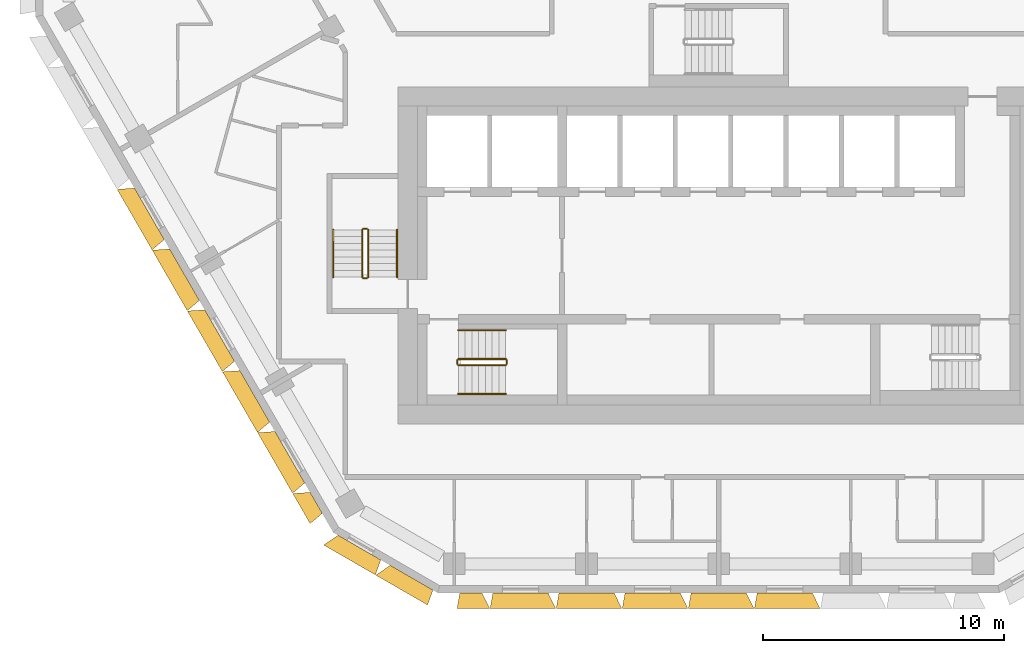
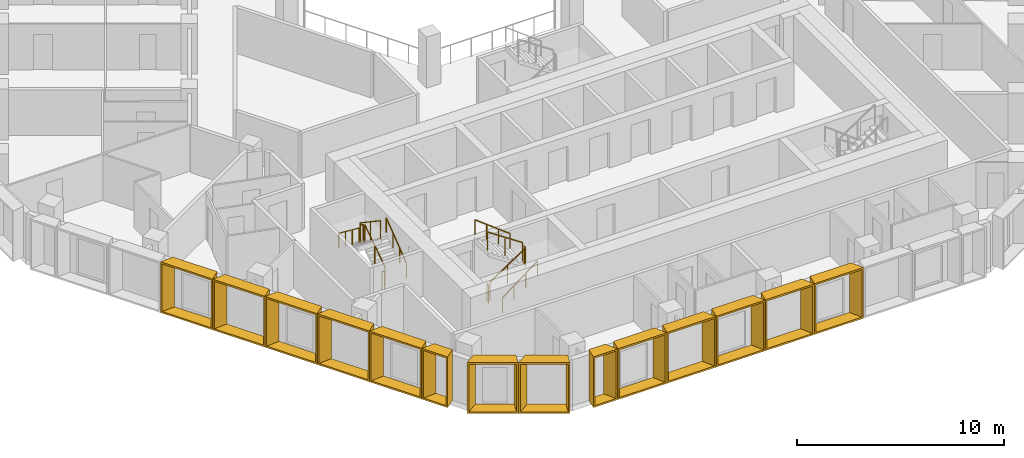
# One storey, part 12 of 15: 14 shading devices, 12 railings.
"""IFC4 building model written with IfcOpenShell, lengths in metres."""

from ifc_helpers import new_model, entity, si_unit, direction, frame, origin, origin_2d, place, context, subcontext, project, spatial, rectangle, extrude, source, transform, mapped, material, type_object, type_shapes, element, save


model = new_model("IFC4")

# Units and contexts
model_context = context("Model", 3, precision=1e-05, world=origin(), true_north=direction((0.0, 1.0)))
body_context = subcontext(model_context, "Body", "Model", "MODEL_VIEW")
ifc_project = project(units=[si_unit("LENGTHUNIT", "METRE"), si_unit("AREAUNIT", "SQUARE_METRE"), si_unit("VOLUMEUNIT", "CUBIC_METRE"), si_unit("PLANEANGLEUNIT", "RADIAN"), si_unit("MASSUNIT", "GRAM", prefix="KILO")], contexts=[model_context])

# Site, building, storey
site_placement = place(None, origin())
site = spatial("IfcSite", under=ifc_project, at=site_placement, CompositionType="ELEMENT")
building_placement = place(site_placement, origin())
building = spatial("IfcBuilding", under=site, at=building_placement, Name="Beryl Residences", CompositionType="ELEMENT")
storey_placement = place(building_placement, frame((0.0, 0.0, 123.60009765625)))
storey = spatial("IfcBuildingStorey", under=building, at=storey_placement, Name="L37", CompositionType="ELEMENT", Elevation=123.60009765625)

# Shading devices
ifc_material_1 = material(Name="Aluminium pale anodised", Category="aluminium")
shading_device_type_1 = type_object("IfcShadingDeviceType", Name="FR137-65C OUTER SKIN frame 650 mm deep, splay 10/26 deg, 1370 x 3000 mm cell", PredefinedType="USERDEFINED", material=ifc_material_1)
cartesian_point_1 = entity("IfcCartesianPoint", [-0.458984375, 0.0])
cartesian_point_2 = entity("IfcCartesianPoint", [-0.377685546875, 0.10009765625])
cartesian_point_3 = entity("IfcCartesianPoint", [-0.57373046875, 0.0])
cartesian_point_4 = entity("IfcCartesianPoint", [-0.492431640625, 0.10009765625])
shared_shape_1 = source(origin(), body_context, "Body", "SweptSolid", [
    entity("IfcExtrudedAreaSolidTapered", entity("IfcArbitraryProfileDefWithVoids", "AREA", None, entity("IfcPolyline", [cartesian_point_1, entity("IfcCartesianPoint", [0.458984375, 0.0]), entity("IfcCartesianPoint", [0.458984375, 3.0]), entity("IfcCartesianPoint", [-0.458984375, 3.0]), cartesian_point_1]), [entity("IfcPolyline", [cartesian_point_2, entity("IfcCartesianPoint", [0.369873046875, 0.10009765625]), entity("IfcCartesianPoint", [0.369873046875, 2.89990234375]), entity("IfcCartesianPoint", [-0.377685546875, 2.89990234375]), cartesian_point_2])]), entity("IfcAxis2Placement3D", entity("IfcCartesianPoint", [0.0, 0.0, 0.0]), entity("IfcDirection", [0.0, 1.0, 0.0]), entity("IfcDirection", [-1.0, 0.0, 0.0])), entity("IfcDirection", [0.0, 0.0, 1.0]), 0.64990234375, entity("IfcArbitraryProfileDefWithVoids", "AREA", None, entity("IfcPolyline", [cartesian_point_3, entity("IfcCartesianPoint", [0.776123046875, 0.0]), entity("IfcCartesianPoint", [0.776123046875, 3.0]), entity("IfcCartesianPoint", [-0.57373046875, 3.0]), cartesian_point_3]), [entity("IfcPolyline", [cartesian_point_4, entity("IfcCartesianPoint", [0.68701171875, 0.10009765625]), entity("IfcCartesianPoint", [0.68701171875, 2.89990234375]), entity("IfcCartesianPoint", [-0.492431640625, 2.89990234375]), cartesian_point_4])])),
])
type_shapes(shading_device_type_1, [shared_shape_1])
shading_device_1_placement = place(storey_placement, frame((-10.282958984375, -26.0, 0.0), z_axis=(0.0, 0.0, 1.0), x_axis=(-1.0, 0.0, 0.0)))
element("IfcShadingDevice", 1, at=shading_device_1_placement, inside=storey, type_object=shading_device_type_1, Name="FR137-65C frame L37 S 1", ObjectType="OUTER SKIN", PredefinedType="USERDEFINED", context=body_context, shape_type="MappedRepresentation", body=[
    mapped(shared_shape_1, transform((0.0, 0.0, 0.0))),
])
ifc_material_2 = material(Name="Aluminium pale anodised", Category="aluminium")
shading_device_type_2 = type_object("IfcShadingDeviceType", Name="FR146-65B OUTER SKIN frame 650 mm deep, splay 26/10 deg, 1460 x 3000 mm cell", PredefinedType="USERDEFINED", material=ifc_material_2)
cartesian_point_5 = entity("IfcCartesianPoint", [-0.50390625, 0.0])
cartesian_point_6 = entity("IfcCartesianPoint", [-0.4150390625, 0.10009765625])
cartesian_point_7 = entity("IfcCartesianPoint", [-0.821044921875, 0.0])
cartesian_point_8 = entity("IfcCartesianPoint", [-0.73193359375, 0.10009765625])
shared_shape_2 = source(origin(), body_context, "Body", "SweptSolid", [
    entity("IfcExtrudedAreaSolidTapered", entity("IfcArbitraryProfileDefWithVoids", "AREA", None, entity("IfcPolyline", [cartesian_point_5, entity("IfcCartesianPoint", [0.50390625, 0.0]), entity("IfcCartesianPoint", [0.50390625, 3.0]), entity("IfcCartesianPoint", [-0.50390625, 3.0]), cartesian_point_5]), [entity("IfcPolyline", [cartesian_point_6, entity("IfcCartesianPoint", [0.4228515625, 0.10009765625]), entity("IfcCartesianPoint", [0.4228515625, 2.89990234375]), entity("IfcCartesianPoint", [-0.4150390625, 2.89990234375]), cartesian_point_6])]), entity("IfcAxis2Placement3D", entity("IfcCartesianPoint", [0.0, 0.0, 0.0]), entity("IfcDirection", [0.0, 1.0, 0.0]), entity("IfcDirection", [-1.0, 0.0, 0.0])), entity("IfcDirection", [0.0, 0.0, 1.0]), 0.64990234375, entity("IfcArbitraryProfileDefWithVoids", "AREA", None, entity("IfcPolyline", [cartesian_point_7, entity("IfcCartesianPoint", [0.61865234375, 0.0]), entity("IfcCartesianPoint", [0.61865234375, 3.0]), entity("IfcCartesianPoint", [-0.821044921875, 3.0]), cartesian_point_7]), [entity("IfcPolyline", [cartesian_point_8, entity("IfcCartesianPoint", [0.537353515625, 0.10009765625]), entity("IfcCartesianPoint", [0.537353515625, 2.89990234375]), entity("IfcCartesianPoint", [-0.73193359375, 2.89990234375]), cartesian_point_8])])),
])
type_shapes(shading_device_type_2, [shared_shape_2])
shading_device_2_placement = place(storey_placement, frame((-16.7041015625, -22.26806640625, 0.0), z_axis=(0.0, 0.0, 1.0), x_axis=(-0.5, 0.866025403784, 0.0)))
element("IfcShadingDevice", 2, at=shading_device_2_placement, inside=storey, type_object=shading_device_type_2, Name="FR146-65B frame L37 SW 9", ObjectType="OUTER SKIN", PredefinedType="USERDEFINED", context=body_context, shape_type="MappedRepresentation", body=[
    mapped(shared_shape_2, transform((0.0, 0.0, 0.0))),
])
ifc_material_3 = material(Name="Aluminium pale anodised", Category="aluminium")
shading_device_type_3 = type_object("IfcShadingDeviceType", Name="FR250-65B OUTER SKIN frame 650 mm deep, splay 26/10 deg, 2500 x 3000 mm cell", PredefinedType="USERDEFINED", material=ifc_material_3)
cartesian_point_9 = entity("IfcCartesianPoint", [-1.02392578125, 0.0])
cartesian_point_10 = entity("IfcCartesianPoint", [-0.93505859375, 0.10009765625])
cartesian_point_11 = entity("IfcCartesianPoint", [-1.341064453125, 0.0])
cartesian_point_12 = entity("IfcCartesianPoint", [-1.251953125, 0.10009765625])
shared_shape_3 = source(origin(), body_context, "Body", "SweptSolid", [
    entity("IfcExtrudedAreaSolidTapered", entity("IfcArbitraryProfileDefWithVoids", "AREA", None, entity("IfcPolyline", [cartesian_point_9, entity("IfcCartesianPoint", [1.02392578125, 0.0]), entity("IfcCartesianPoint", [1.02392578125, 3.0]), entity("IfcCartesianPoint", [-1.02392578125, 3.0]), cartesian_point_9]), [entity("IfcPolyline", [cartesian_point_10, entity("IfcCartesianPoint", [0.94287109375, 0.10009765625]), entity("IfcCartesianPoint", [0.94287109375, 2.89990234375]), entity("IfcCartesianPoint", [-0.93505859375, 2.89990234375]), cartesian_point_10])]), entity("IfcAxis2Placement3D", entity("IfcCartesianPoint", [0.0, 0.0, 0.0]), entity("IfcDirection", [0.0, 1.0, 0.0]), entity("IfcDirection", [-1.0, 0.0, 0.0])), entity("IfcDirection", [0.0, 0.0, 1.0]), 0.64990234375, entity("IfcArbitraryProfileDefWithVoids", "AREA", None, entity("IfcPolyline", [cartesian_point_11, entity("IfcCartesianPoint", [1.138671875, 0.0]), entity("IfcCartesianPoint", [1.138671875, 3.0]), entity("IfcCartesianPoint", [-1.341064453125, 3.0]), cartesian_point_11]), [entity("IfcPolyline", [cartesian_point_12, entity("IfcCartesianPoint", [1.057373046875, 0.10009765625]), entity("IfcCartesianPoint", [1.057373046875, 2.89990234375]), entity("IfcCartesianPoint", [-1.251953125, 2.89990234375]), cartesian_point_12])])),
])
type_shapes(shading_device_type_3, [shared_shape_3])
for number, where, z_axis, x_axis, name in (
    (3, (-14.909912109375, -24.125, 0.0), (0.0, 0.0, 1.0), (-0.866025403784, 0.5, 0.0), "FR250-65B frame L37 SW-S 1"),
    (4, (-12.7451171875, -25.375, 0.0), (0.0, 0.0, 1.0), (-0.866025403784, 0.5, 0.0), "FR250-65B frame L37 SW-S 2"),
):
    element("IfcShadingDevice", number, at=place(storey_placement, frame(where, z_axis=z_axis, x_axis=x_axis)), inside=storey, type_object=shading_device_type_3, Name=name, ObjectType="OUTER SKIN", PredefinedType="USERDEFINED", context=body_context, shape_type="MappedRepresentation", body=[
        mapped(shared_shape_3, transform((0.0, 0.0, 0.0))),
    ])
ifc_material_4 = material(Name="Aluminium pale anodised", Category="aluminium")
shading_device_type_4 = type_object("IfcShadingDeviceType", Name="FR274-65C OUTER SKIN frame 650 mm deep, splay 10/26 deg, 2740 x 3000 mm cell", PredefinedType="USERDEFINED", material=ifc_material_4)
cartesian_point_13 = entity("IfcCartesianPoint", [-1.14404296875, 0.0])
cartesian_point_14 = entity("IfcCartesianPoint", [-1.062744140625, 0.10009765625])
cartesian_point_15 = entity("IfcCartesianPoint", [-1.258544921875, 0.0])
cartesian_point_16 = entity("IfcCartesianPoint", [-1.177490234375, 0.10009765625])
shared_shape_4 = source(origin(), body_context, "Body", "SweptSolid", [
    entity("IfcExtrudedAreaSolidTapered", entity("IfcArbitraryProfileDefWithVoids", "AREA", None, entity("IfcPolyline", [cartesian_point_13, entity("IfcCartesianPoint", [1.14404296875, 0.0]), entity("IfcCartesianPoint", [1.14404296875, 3.0]), entity("IfcCartesianPoint", [-1.14404296875, 3.0]), cartesian_point_13]), [entity("IfcPolyline", [cartesian_point_14, entity("IfcCartesianPoint", [1.054931640625, 0.10009765625]), entity("IfcCartesianPoint", [1.054931640625, 2.89990234375]), entity("IfcCartesianPoint", [-1.062744140625, 2.89990234375]), cartesian_point_14])]), entity("IfcAxis2Placement3D", entity("IfcCartesianPoint", [0.0, 0.0, 0.0]), entity("IfcDirection", [0.0, 1.0, 0.0]), entity("IfcDirection", [-1.0, 0.0, 0.0])), entity("IfcDirection", [0.0, 0.0, 1.0]), 0.64990234375, entity("IfcArbitraryProfileDefWithVoids", "AREA", None, entity("IfcPolyline", [cartesian_point_15, entity("IfcCartesianPoint", [1.4609375, 0.0]), entity("IfcCartesianPoint", [1.4609375, 3.0]), entity("IfcCartesianPoint", [-1.258544921875, 3.0]), cartesian_point_15]), [entity("IfcPolyline", [cartesian_point_16, entity("IfcCartesianPoint", [1.3720703125, 0.10009765625]), entity("IfcCartesianPoint", [1.3720703125, 2.89990234375]), entity("IfcCartesianPoint", [-1.177490234375, 2.89990234375]), cartesian_point_16])])),
])
type_shapes(shading_device_type_4, [shared_shape_4])
for number, where, z_axis, x_axis, name in (
    (5, (-8.22607421875, -26.0, 0.0), (0.0, 0.0, 1.0), (-1.0, 0.0, 0.0), "FR274-65C frame L37 S 2"),
    (6, (-5.48388671875, -26.0, 0.0), (0.0, 0.0, 1.0), (-1.0, 0.0, 0.0), "FR274-65C frame L37 S 3"),
    (7, (-2.741943359375, -26.0, 0.0), (0.0, 0.0, 1.0), (-1.0, 0.0, 0.0), "FR274-65C frame L37 S 4"),
    (8, (0.0009765625, -26.0, 0.0), (0.0, 0.0, 1.0), (-1.0, 0.0, 0.0), "FR274-65C frame L37 S 5"),
    (9, (2.743896484375, -26.0, 0.0), (0.0, 0.0, 1.0), (-1.0, 0.0, 0.0), "FR274-65C frame L37 S 6"),
):
    element("IfcShadingDevice", number, at=place(storey_placement, frame(where, z_axis=z_axis, x_axis=x_axis)), inside=storey, type_object=shading_device_type_4, Name=name, ObjectType="OUTER SKIN", PredefinedType="USERDEFINED", context=body_context, shape_type="MappedRepresentation", body=[
        mapped(shared_shape_4, transform((0.0, 0.0, 0.0))),
    ])
ifc_material_5 = material(Name="Aluminium pale anodised", Category="aluminium")
shading_device_type_5 = type_object("IfcShadingDeviceType", Name="FR292-65B OUTER SKIN frame 650 mm deep, splay 26/10 deg, 2920 x 3000 mm cell", PredefinedType="USERDEFINED", material=ifc_material_5)
cartesian_point_17 = entity("IfcCartesianPoint", [-1.23388671875, 0.0])
cartesian_point_18 = entity("IfcCartesianPoint", [-1.14501953125, 0.10009765625])
cartesian_point_19 = entity("IfcCartesianPoint", [-1.551025390625, 0.0])
cartesian_point_20 = entity("IfcCartesianPoint", [-1.4619140625, 0.10009765625])
shared_shape_5 = source(origin(), body_context, "Body", "SweptSolid", [
    entity("IfcExtrudedAreaSolidTapered", entity("IfcArbitraryProfileDefWithVoids", "AREA", None, entity("IfcPolyline", [cartesian_point_17, entity("IfcCartesianPoint", [1.23388671875, 0.0]), entity("IfcCartesianPoint", [1.23388671875, 3.0]), entity("IfcCartesianPoint", [-1.23388671875, 3.0]), cartesian_point_17]), [entity("IfcPolyline", [cartesian_point_18, entity("IfcCartesianPoint", [1.15283203125, 0.10009765625]), entity("IfcCartesianPoint", [1.15283203125, 2.89990234375]), entity("IfcCartesianPoint", [-1.14501953125, 2.89990234375]), cartesian_point_18])]), entity("IfcAxis2Placement3D", entity("IfcCartesianPoint", [0.0, 0.0, 0.0]), entity("IfcDirection", [0.0, 1.0, 0.0]), entity("IfcDirection", [-1.0, 0.0, 0.0])), entity("IfcDirection", [0.0, 0.0, 1.0]), 0.64990234375, entity("IfcArbitraryProfileDefWithVoids", "AREA", None, entity("IfcPolyline", [cartesian_point_19, entity("IfcCartesianPoint", [1.3486328125, 0.0]), entity("IfcCartesianPoint", [1.3486328125, 3.0]), entity("IfcCartesianPoint", [-1.551025390625, 3.0]), cartesian_point_19]), [entity("IfcPolyline", [cartesian_point_20, entity("IfcCartesianPoint", [1.267333984375, 0.10009765625]), entity("IfcCartesianPoint", [1.267333984375, 2.89990234375]), entity("IfcCartesianPoint", [-1.4619140625, 2.89990234375]), cartesian_point_20])])),
])
type_shapes(shading_device_type_5, [shared_shape_5])
for number, where, z_axis, x_axis, name in (
    (10, (-23.6279296875, -10.27392578125, 0.0), (0.0, 0.0, 1.0), (-0.5, 0.866025403784, 0.0), "FR292-65B frame L37 SW 4"),
    (11, (-22.169921875, -12.799072265625, 0.0), (0.0, 0.0, 1.0), (-0.5, 0.866025403784, 0.0), "FR292-65B frame L37 SW 5"),
    (12, (-20.712890625, -15.323974609375, 0.0), (0.0, 0.0, 1.0), (-0.5, 0.866025403784, 0.0), "FR292-65B frame L37 SW 6"),
    (13, (-19.2548828125, -17.84912109375, 0.0), (0.0, 0.0, 1.0), (-0.5, 0.866025403784, 0.0), "FR292-65B frame L37 SW 7"),
    (14, (-17.797119140625, -20.3740234375, 0.0), (0.0, 0.0, 1.0), (-0.5, 0.866025403784, 0.0), "FR292-65B frame L37 SW 8"),
):
    element("IfcShadingDevice", number, at=place(storey_placement, frame(where, z_axis=z_axis, x_axis=x_axis)), inside=storey, type_object=shading_device_type_5, Name=name, ObjectType="OUTER SKIN", PredefinedType="USERDEFINED", context=body_context, shape_type="MappedRepresentation", body=[
        mapped(shared_shape_5, transform((0.0, 0.0, 0.0))),
    ])

# Railings
ifc_material_6 = material(Name="Stainless steel balustrade with glass infill", Category="steel")
railing_type_1 = type_object("IfcRailingType", Name="SG1 stair guard 1100 mm", PredefinedType="GUARDRAIL", material=ifc_material_6)
railing_1_placement = place(storey_placement, frame((-10.800048828125, -16.550048828125, 0.1875)))
element("IfcRailing", 15, at=railing_1_placement, inside=storey, type_object=railing_type_1, Name="L37 ST-1 stair guard 1", PredefinedType="GUARDRAIL", context=body_context, shape_type="SweptSolid", body=[
    extrude(rectangle(XDim=0.048095703125, YDim=0.048095703125, at=origin_2d()), frame((0.0, 0.0, 1.076171875), z_axis=(0.830902050051, 0.0, 0.556418712142), x_axis=(0.0, 1.0, 0.0)), (0.0, 0.0, 1.0), 2.35888671875),
    extrude(rectangle(XDim=0.0419921875, YDim=0.0419921875, at=origin_2d()), origin(), (0.0, 0.0, 1.0), 1.052001953125),
    extrude(rectangle(XDim=0.0419921875, YDim=0.0419921875, at=origin_2d()), frame((0.97998046875, 0.0, 0.65625)), (0.0, 0.0, 1.0), 1.052001953125),
    extrude(rectangle(XDim=0.0419921875, YDim=0.0419921875, at=origin_2d()), frame((1.9599609375, 0.0, 1.3125)), (0.0, 0.0, 1.0), 1.052001953125),
])
railing_2_placement = place(storey_placement, frame((-8.7900390625, -16.5, 1.5)))
element("IfcRailing", 16, at=railing_2_placement, inside=storey, type_object=railing_type_1, Name="L37 ST-1 stair guard 2", PredefinedType="GUARDRAIL", context=body_context, shape_type="SweptSolid", body=[
    extrude(rectangle(XDim=0.048095703125, YDim=0.048095703125, at=origin_2d()), frame((0.0, 0.0, 1.076171875), z_axis=(0.0, 1.0, 0.0), x_axis=(-1.0, 0.0, 0.0)), (0.0, 0.0, 1.0), 0.14990234375),
    extrude(rectangle(XDim=0.0419921875, YDim=0.0419921875, at=origin_2d()), origin(), (0.0, 0.0, 1.0), 1.052001953125),
    extrude(rectangle(XDim=0.0419921875, YDim=0.0419921875, at=origin_2d()), frame((0.0, 0.14990234375, 0.0)), (0.0, 0.0, 1.0), 1.052001953125),
])
railing_3_placement = place(storey_placement, frame((-8.840087890625, -16.300048828125, 1.6875)))
element("IfcRailing", 17, at=railing_3_placement, inside=storey, type_object=railing_type_1, Name="L37 ST-1 stair guard 3", PredefinedType="GUARDRAIL", context=body_context, shape_type="SweptSolid", body=[
    extrude(rectangle(XDim=0.048095703125, YDim=0.048095703125, at=origin_2d()), frame((0.0, 0.0, 1.076171875), z_axis=(-0.830902050051, 0.0, 0.556418712142), x_axis=(0.0, -1.0, 0.0)), (0.0, 0.0, 1.0), 2.35888671875),
    extrude(rectangle(XDim=0.0419921875, YDim=0.0419921875, at=origin_2d()), origin(), (0.0, 0.0, 1.0), 1.052001953125),
    extrude(rectangle(XDim=0.0419921875, YDim=0.0419921875, at=origin_2d()), frame((-0.97998046875, 0.0, 0.65625)), (0.0, 0.0, 1.0), 1.052001953125),
    extrude(rectangle(XDim=0.0419921875, YDim=0.0419921875, at=origin_2d()), frame((-1.9599609375, 0.0, 1.3125)), (0.0, 0.0, 1.0), 1.052001953125),
])
railing_4_placement = place(storey_placement, frame((-10.85009765625, -16.5, 0.0)))
element("IfcRailing", 18, at=railing_4_placement, inside=storey, type_object=railing_type_1, Name="L37 ST-1 stair guard 4", PredefinedType="GUARDRAIL", context=body_context, shape_type="SweptSolid", body=[
    extrude(rectangle(XDim=0.048095703125, YDim=0.048095703125, at=origin_2d()), frame((0.0, 0.0, 1.076171875), z_axis=(0.0, 1.0, 0.0), x_axis=(-1.0, 0.0, 0.0)), (0.0, 0.0, 1.0), 0.14990234375),
    extrude(rectangle(XDim=0.0419921875, YDim=0.0419921875, at=origin_2d()), origin(), (0.0, 0.0, 1.0), 1.052001953125),
    extrude(rectangle(XDim=0.0419921875, YDim=0.0419921875, at=origin_2d()), frame((0.0, 0.14990234375, 0.0)), (0.0, 0.0, 1.0), 1.052001953125),
])
railing_5_placement = place(storey_placement, frame((-14.550048828125, -12.89990234375, 0.1875)))
element("IfcRailing", 19, at=railing_5_placement, inside=storey, type_object=railing_type_1, Name="L37 ST-2 stair guard 1", PredefinedType="GUARDRAIL", context=body_context, shape_type="SweptSolid", body=[
    extrude(rectangle(XDim=0.048095703125, YDim=0.048095703125, at=origin_2d()), frame((0.0, 0.0, 1.076171875), z_axis=(0.0, 0.830902050051, 0.556418712142), x_axis=(-1.0, 0.0, 0.0)), (0.0, 0.0, 1.0), 2.35888671875),
    extrude(rectangle(XDim=0.0419921875, YDim=0.0419921875, at=origin_2d()), origin(), (0.0, 0.0, 1.0), 1.052001953125),
    extrude(rectangle(XDim=0.0419921875, YDim=0.0419921875, at=origin_2d()), frame((0.0, 0.97998046875, 0.65625)), (0.0, 0.0, 1.0), 1.052001953125),
    extrude(rectangle(XDim=0.0419921875, YDim=0.0419921875, at=origin_2d()), frame((0.0, 1.9599609375, 1.3125)), (0.0, 0.0, 1.0), 1.052001953125),
])
railing_6_placement = place(storey_placement, frame((-14.60009765625, -10.889892578125, 1.5)))
element("IfcRailing", 20, at=railing_6_placement, inside=storey, type_object=railing_type_1, Name="L37 ST-2 stair guard 2", PredefinedType="GUARDRAIL", context=body_context, shape_type="SweptSolid", body=[
    extrude(rectangle(XDim=0.048095703125, YDim=0.048095703125, at=origin_2d()), frame((0.0, 0.0, 1.076171875), z_axis=(-1.0, 0.0, 0.0), x_axis=(0.0, -1.0, 0.0)), (0.0, 0.0, 1.0), 0.14990234375),
    extrude(rectangle(XDim=0.0419921875, YDim=0.0419921875, at=origin_2d()), origin(), (0.0, 0.0, 1.0), 1.052001953125),
    extrude(rectangle(XDim=0.0419921875, YDim=0.0419921875, at=origin_2d()), frame((-0.14990234375, 0.0, 0.0)), (0.0, 0.0, 1.0), 1.052001953125),
])
railing_7_placement = place(storey_placement, frame((-14.800048828125, -10.93994140625, 1.6875)))
element("IfcRailing", 21, at=railing_7_placement, inside=storey, type_object=railing_type_1, Name="L37 ST-2 stair guard 3", PredefinedType="GUARDRAIL", context=body_context, shape_type="SweptSolid", body=[
    extrude(rectangle(XDim=0.048095703125, YDim=0.048095703125, at=origin_2d()), frame((0.0, 0.0, 1.076171875), z_axis=(0.0, -0.830902050051, 0.556418712142), x_axis=(1.0, 0.0, 0.0)), (0.0, 0.0, 1.0), 2.35888671875),
    extrude(rectangle(XDim=0.0419921875, YDim=0.0419921875, at=origin_2d()), origin(), (0.0, 0.0, 1.0), 1.052001953125),
    extrude(rectangle(XDim=0.0419921875, YDim=0.0419921875, at=origin_2d()), frame((0.0, -0.97998046875, 0.65625)), (0.0, 0.0, 1.0), 1.052001953125),
    extrude(rectangle(XDim=0.0419921875, YDim=0.0419921875, at=origin_2d()), frame((0.0, -1.9599609375, 1.3125)), (0.0, 0.0, 1.0), 1.052001953125),
])
railing_8_placement = place(storey_placement, frame((-14.60009765625, -12.949951171875, 0.0)))
element("IfcRailing", 22, at=railing_8_placement, inside=storey, type_object=railing_type_1, Name="L37 ST-2 stair guard 4", PredefinedType="GUARDRAIL", context=body_context, shape_type="SweptSolid", body=[
    extrude(rectangle(XDim=0.048095703125, YDim=0.048095703125, at=origin_2d()), frame((0.0, 0.0, 1.076171875), z_axis=(-1.0, 0.0, 0.0), x_axis=(0.0, -1.0, 0.0)), (0.0, 0.0, 1.0), 0.14990234375),
    extrude(rectangle(XDim=0.0419921875, YDim=0.0419921875, at=origin_2d()), origin(), (0.0, 0.0, 1.0), 1.052001953125),
    extrude(rectangle(XDim=0.0419921875, YDim=0.0419921875, at=origin_2d()), frame((-0.14990234375, 0.0, 0.0)), (0.0, 0.0, 1.0), 1.052001953125),
])
ifc_material_7 = material(Name="Stainless steel handrail", Category="steel")
railing_type_2 = type_object("IfcRailingType", Name="SRL1 stair handrail 900 mm", PredefinedType="HANDRAIL", material=ifc_material_7)
railing_9_placement = place(storey_placement, frame((-10.800048828125, -17.75, 0.1875)))
element("IfcRailing", 23, at=railing_9_placement, inside=storey, type_object=railing_type_2, Name="L37 ST-1 stair handrail 1", PredefinedType="HANDRAIL", context=body_context, shape_type="SweptSolid", body=[
    extrude(rectangle(XDim=0.048095703125, YDim=0.048095703125, at=origin_2d()), frame((0.0, 0.0, 0.8759765625), z_axis=(0.794121922505, 0.0, 0.607758481798), x_axis=(0.0, 1.0, 0.0)), (0.0, 0.0, 1.0), 2.468017578125),
    extrude(rectangle(XDim=0.0419921875, YDim=0.0419921875, at=origin_2d()), origin(), (0.0, 0.0, 1.0), 0.851806640625),
    extrude(rectangle(XDim=0.0419921875, YDim=0.0419921875, at=origin_2d()), frame((0.6533203125, 0.0, 0.5)), (0.0, 0.0, 1.0), 0.851806640625),
    extrude(rectangle(XDim=0.0419921875, YDim=0.0419921875, at=origin_2d()), frame((1.306640625, 0.0, 1.0)), (0.0, 0.0, 1.0), 0.851806640625),
    extrude(rectangle(XDim=0.0419921875, YDim=0.0419921875, at=origin_2d()), frame((1.9599609375, 0.0, 1.5)), (0.0, 0.0, 1.0), 0.851806640625),
])
railing_10_placement = place(storey_placement, frame((-8.840087890625, -15.10009765625, 1.6875)))
element("IfcRailing", 24, at=railing_10_placement, inside=storey, type_object=railing_type_2, Name="L37 ST-1 stair handrail 2", PredefinedType="HANDRAIL", context=body_context, shape_type="SweptSolid", body=[
    extrude(rectangle(XDim=0.048095703125, YDim=0.048095703125, at=origin_2d()), frame((0.0, 0.0, 0.8759765625), z_axis=(-0.794121922505, 0.0, 0.607758481798), x_axis=(0.0, -1.0, 0.0)), (0.0, 0.0, 1.0), 2.468017578125),
    extrude(rectangle(XDim=0.0419921875, YDim=0.0419921875, at=origin_2d()), origin(), (0.0, 0.0, 1.0), 0.851806640625),
    extrude(rectangle(XDim=0.0419921875, YDim=0.0419921875, at=origin_2d()), frame((-0.6533203125, 0.0, 0.5)), (0.0, 0.0, 1.0), 0.851806640625),
    extrude(rectangle(XDim=0.0419921875, YDim=0.0419921875, at=origin_2d()), frame((-1.306640625, 0.0, 1.0)), (0.0, 0.0, 1.0), 0.851806640625),
    extrude(rectangle(XDim=0.0419921875, YDim=0.0419921875, at=origin_2d()), frame((-1.9599609375, 0.0, 1.5)), (0.0, 0.0, 1.0), 0.851806640625),
])
railing_11_placement = place(storey_placement, frame((-13.35009765625, -12.89990234375, 0.1875)))
element("IfcRailing", 25, at=railing_11_placement, inside=storey, type_object=railing_type_2, Name="L37 ST-2 stair handrail 1", PredefinedType="HANDRAIL", context=body_context, shape_type="SweptSolid", body=[
    extrude(rectangle(XDim=0.048095703125, YDim=0.048095703125, at=origin_2d()), frame((0.0, 0.0, 0.8759765625), z_axis=(0.0, 0.794121922505, 0.607758481798), x_axis=(-1.0, 0.0, 0.0)), (0.0, 0.0, 1.0), 2.468017578125),
    extrude(rectangle(XDim=0.0419921875, YDim=0.0419921875, at=origin_2d()), origin(), (0.0, 0.0, 1.0), 0.851806640625),
    extrude(rectangle(XDim=0.0419921875, YDim=0.0419921875, at=origin_2d()), frame((0.0, 0.6533203125, 0.5)), (0.0, 0.0, 1.0), 0.851806640625),
    extrude(rectangle(XDim=0.0419921875, YDim=0.0419921875, at=origin_2d()), frame((0.0, 1.306640625, 1.0)), (0.0, 0.0, 1.0), 0.851806640625),
    extrude(rectangle(XDim=0.0419921875, YDim=0.0419921875, at=origin_2d()), frame((0.0, 1.9599609375, 1.5)), (0.0, 0.0, 1.0), 0.851806640625),
])
railing_12_placement = place(storey_placement, frame((-16.0, -10.93994140625, 1.6875)))
element("IfcRailing", 26, at=railing_12_placement, inside=storey, type_object=railing_type_2, Name="L37 ST-2 stair handrail 2", PredefinedType="HANDRAIL", context=body_context, shape_type="SweptSolid", body=[
    extrude(rectangle(XDim=0.048095703125, YDim=0.048095703125, at=origin_2d()), frame((0.0, 0.0, 0.8759765625), z_axis=(0.0, -0.794121922505, 0.607758481798), x_axis=(1.0, 0.0, 0.0)), (0.0, 0.0, 1.0), 2.468017578125),
    extrude(rectangle(XDim=0.0419921875, YDim=0.0419921875, at=origin_2d()), origin(), (0.0, 0.0, 1.0), 0.851806640625),
    extrude(rectangle(XDim=0.0419921875, YDim=0.0419921875, at=origin_2d()), frame((0.0, -0.6533203125, 0.5)), (0.0, 0.0, 1.0), 0.851806640625),
    extrude(rectangle(XDim=0.0419921875, YDim=0.0419921875, at=origin_2d()), frame((0.0, -1.306640625, 1.0)), (0.0, 0.0, 1.0), 0.851806640625),
    extrude(rectangle(XDim=0.0419921875, YDim=0.0419921875, at=origin_2d()), frame((0.0, -1.9599609375, 1.5)), (0.0, 0.0, 1.0), 0.851806640625),
])

save(model, "model.ifc")
